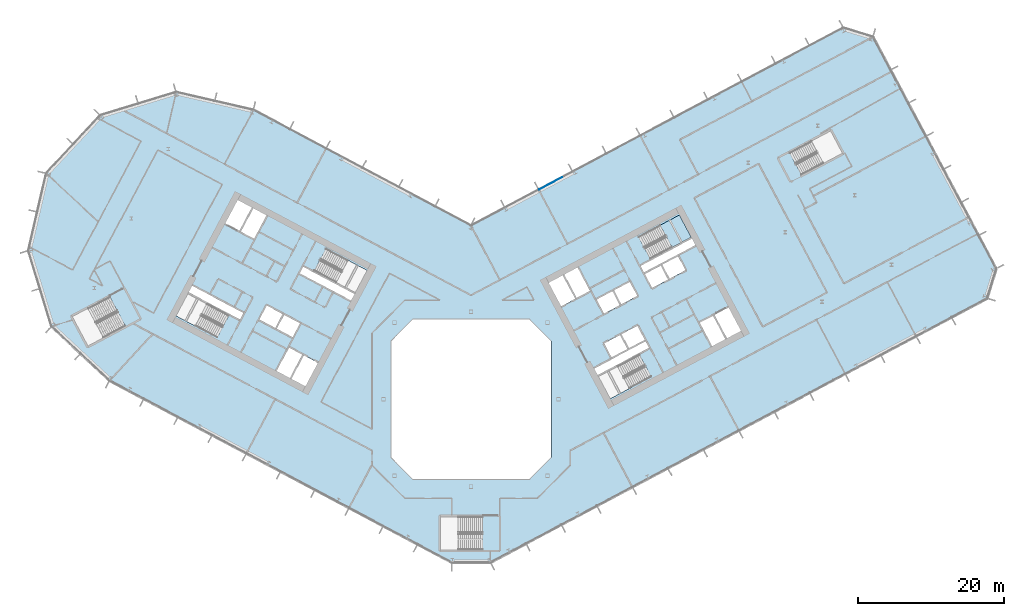
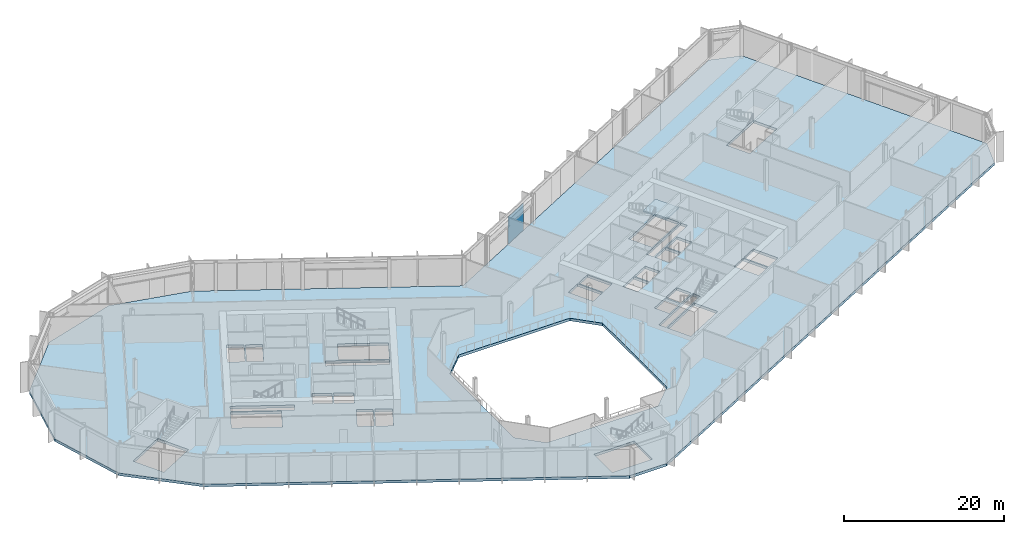
# One storey, part 12 of 31: 2 slabs, 1 plate, 2 elements without a shape of their own.
"""IFC4 building model written with IfcOpenShell, lengths in metres."""

from ifc_helpers import new_model, si_unit, direction, frame, origin, origin_2d, place, context, subcontext, project, spatial, polyline, rectangle, outline, extrude, material, layer, layer_set, type_object, element, aggregate, save


model = new_model("IFC4")

# Units and contexts
model_context = context("Model", 3, precision=1e-05, world=origin(), true_north=direction((0.0, 1.0)))
body_context = subcontext(model_context, "Body", "Model", "MODEL_VIEW")
ifc_project = project(units=[si_unit("LENGTHUNIT", "METRE"), si_unit("AREAUNIT", "SQUARE_METRE"), si_unit("VOLUMEUNIT", "CUBIC_METRE"), si_unit("PLANEANGLEUNIT", "RADIAN"), si_unit("MASSUNIT", "GRAM", prefix="KILO")], contexts=[model_context])

# Site, building, storey
site_placement = place(None, origin())
site = spatial("IfcSite", under=ifc_project, at=site_placement, CompositionType="ELEMENT")
building_placement = place(site_placement, origin())
building = spatial("IfcBuilding", under=site, at=building_placement, Name="Cormorant Relay Tower", CompositionType="ELEMENT")
storey_placement = place(building_placement, frame((0.0, 0.0, 103.0)))
storey = spatial("IfcBuildingStorey", under=building, at=storey_placement, Name="L20", CompositionType="ELEMENT", Elevation=103.0)

# Curtain wall, plate
ifc_material_1 = material(Name="Aluminium 6063-T6 anodised bronze", Category="aluminium")
ifc_layer_1 = layer(ifc_material_1, 0.199951171875)
ifc_layer_set_1 = layer_set([ifc_layer_1], Name="CW1 unitised bronze curtain wall with vertical fins")
curtain_wall_type = type_object("IfcCurtainWallType", Name="CW1 unitised bronze curtain wall with vertical fins", PredefinedType="NOTDEFINED", material=ifc_layer_set_1)
curtain_wall_placement = place(storey_placement, origin())
curtain_wall = element("IfcCurtainWall", 1, at=curtain_wall_placement, inside=storey, type_object=curtain_wall_type, Name="CW1 curtain wall 6", PredefinedType="NOTDEFINED")
ifc_material_2 = material(Name="Tinted laminated glass", Category="glass")
ifc_layer_2 = layer(ifc_material_2, 0.0400390625)
ifc_layer_set_2 = layer_set([ifc_layer_2], Name="CW1 tinted vision panel 3600 module")
plate_type = type_object("IfcPlateType", Name="CW1 tinted vision panel 3600 module", PredefinedType="CURTAIN_PANEL", material=ifc_layer_set_2)
plate_placement = place(storey_placement, frame((10.9306640625, 29.618408203125, 0.0), z_axis=(0.0, 0.0, 1.0), x_axis=(-0.882947592859, -0.469471562786, 0.0)))
plate = element("IfcPlate", 2, at=plate_placement, type_object=plate_type, Name="CW1 panel V08", PredefinedType="CURTAIN_PANEL", context=body_context, shape_type="SweptSolid", body=[
    extrude(rectangle(XDim=3.60009765625, YDim=0.0400390625, at=origin_2d()), origin(), (0.0, 0.0, 1.0), 4.14990234375),
])
aggregate(curtain_wall, [plate])

# Stair, slab
ifc_material_3 = material(Name="Concrete 40 MPa", Category="concrete")
stair_type = type_object("IfcStairType", Name="Exit stair 1500", PredefinedType="HALF_TURN_STAIR", material=ifc_material_3)
stair_placement = place(storey_placement, origin())
stair = element("IfcStair", 3, at=stair_placement, inside=storey, type_object=stair_type, Name="L20 Stair", PredefinedType="HALF_TURN_STAIR")
ifc_material_4 = material(Name="Concrete 40 MPa", Category="concrete")
ifc_layer_3 = layer(ifc_material_4, 0.199951171875)
ifc_layer_set_3 = layer_set([ifc_layer_3], Name="Exit stair landing 200")
slab_type_1 = type_object("IfcSlabType", Name="Exit stair landing 200", PredefinedType="LANDING", material=ifc_layer_set_3)
slab_1_placement = place(storey_placement, frame((0.0, 0.0, 2.10009765625)))
slab_1 = element("IfcSlab", 4, at=slab_1_placement, type_object=slab_type_1, Name="B2 landing 1", PredefinedType="LANDING", context=body_context, shape_type="SweptSolid", body=[
    extrude(outline(polyline([(27.558837890625, 20.82568359375), (30.19873046875, 22.2294921875), (28.5791015625, 25.275634765625), (25.93896484375, 23.871826171875), (27.558837890625, 20.82568359375)])), origin(), (0.0, 0.0, 1.0), 0.199951171875),
])
aggregate(stair, [slab_1])

# Slab
ifc_material_5 = material(Name="Concrete 40 MPa", Category="concrete")
ifc_layer_4 = layer(ifc_material_5, 0.39990234375)
ifc_layer_set_4 = layer_set([ifc_layer_4], Name="Flat plate 400")
slab_type_2 = type_object("IfcSlabType", Name="Flat plate 400", PredefinedType="FLOOR", material=ifc_layer_set_4)
slab_2_placement = place(storey_placement, frame((0.0, 0.0, -0.39990234375)))
element("IfcSlab", 5, at=slab_2_placement, inside=storey, type_object=slab_type_2, Name="Floor slab L20", PredefinedType="FLOOR", context=body_context, shape_type="SweptSolid", body=[
    extrude(outline(polyline([(-60.7197265625, 20.393310546875), (-58.2744140625, 30.985107421875), (-50.86083984375, 38.935302734375), (-40.465576171875, 42.11328125), (-29.873779296875, 39.668212890625), (0.0, 23.783935546875), (51.064453125, 50.935302734375), (55.12158203125, 49.695068359375), (72.022705078125, 17.908935546875), (70.7822265625, 13.8515625), (2.648681640625, -22.37548828125), (-2.648681640625, -22.37548828125), (-49.591552734375, 2.584228515625), (-57.541748046875, 9.997802734375), (-60.7197265625, 20.393310546875)]), holes=[polyline([(11.0, -8.0), (11.0, 8.0), (8.0, 11.0), (-8.0, 11.0), (-11.0, 8.0), (-11.0, -8.0), (-8.0, -11.0), (8.0, -11.0), (11.0, -8.0)]), polyline([(-4.199951171875, -16.125), (-4.199951171875, -20.675048828125), (1.60009765625, -20.675048828125), (1.60009765625, -16.125), (-4.199951171875, -16.125)]), polyline([(-22.95458984375, 6.03271484375), (-24.668212890625, 2.81005859375), (-22.725830078125, 1.777099609375), (-21.01220703125, 5.0), (-23.04296875, 6.07958984375), (-22.95458984375, 6.03271484375)]), polyline([(-24.985595703125, 7.112548828125), (-26.69921875, 3.889892578125), (-24.844970703125, 2.90380859375), (-23.13134765625, 6.126708984375), (-23.04296875, 6.07958984375), (-24.985595703125, 7.112548828125)]), polyline([(-26.688720703125, 9.660400390625), (-24.481201171875, 8.48681640625), (-23.448486328125, 10.42919921875), (-25.656005859375, 11.602783203125), (-26.688720703125, 9.660400390625)]), polyline([(-49.57861328125, 14.0537109375), (-54.69970703125, 11.330810546875), (-52.563720703125, 7.3134765625), (-47.442626953125, 10.036376953125), (-49.57861328125, 14.0537109375)]), polyline([(-28.039794921875, 12.870361328125), (-29.07275390625, 10.927978515625), (-26.865234375, 9.75439453125), (-25.83251953125, 11.69677734375), (-28.039794921875, 12.870361328125)]), polyline([(-38.847900390625, 14.483154296875), (-40.46728515625, 11.43701171875), (-34.860595703125, 8.455810546875), (-33.240966796875, 11.502197265625), (-38.847900390625, 14.483154296875)]), polyline([(-38.260986328125, 15.5869140625), (-38.75390625, 14.659912109375), (-31.690185546875, 10.904052734375), (-31.197265625, 11.8310546875), (-38.260986328125, 15.5869140625)]), polyline([(14.3056640625, 13.779052734375), (12.592041015625, 17.001708984375), (10.649658203125, 15.968994140625), (12.36328125, 12.74609375), (14.39404296875, 13.825927734375), (14.3056640625, 13.779052734375)]), polyline([(16.33642578125, 14.85888671875), (14.622802734375, 18.08154296875), (12.768798828125, 17.095703125), (14.482421875, 13.872802734375), (14.39404296875, 13.825927734375), (16.33642578125, 14.85888671875)]), polyline([(-16.481689453125, 13.520263671875), (-15.989013671875, 14.447509765625), (-23.052490234375, 18.203125), (-23.54541015625, 17.276123046875), (-16.481689453125, 13.520263671875)]), polyline([(-21.501708984375, 17.605224609375), (-15.89501953125, 14.6240234375), (-14.275390625, 17.670166015625), (-19.882080078125, 20.6513671875), (-21.501708984375, 17.605224609375)]), polyline([(-31.611572265625, 22.980712890625), (-29.75732421875, 21.99462890625), (-28.043701171875, 25.217529296875), (-29.89794921875, 26.203369140625), (-31.611572265625, 22.980712890625)]), polyline([(-33.73046875, 24.107421875), (-31.7880859375, 23.074462890625), (-30.074462890625, 26.29736328125), (-32.01708984375, 27.330078125), (-33.73046875, 24.107421875)]), polyline([(23.087158203125, 6.10302734375), (17.48046875, 3.1220703125), (19.10009765625, 0.07568359375), (24.706787109375, 3.056884765625), (23.087158203125, 6.10302734375)]), polyline([(16.8935546875, 4.2255859375), (17.386474609375, 3.298583984375), (24.4501953125, 7.054443359375), (23.957275390625, 7.9814453125), (16.8935546875, 4.2255859375)]), polyline([(20.446533203125, 8.8330078125), (18.239013671875, 7.6591796875), (19.27197265625, 5.716796875), (21.479248046875, 6.890380859375), (20.446533203125, 8.8330078125)]), polyline([(22.830322265625, 10.1005859375), (20.623046875, 8.927001953125), (21.656005859375, 6.984375), (23.86328125, 8.158203125), (22.830322265625, 10.1005859375)]), polyline([(33.197021484375, 11.478515625), (31.3427734375, 10.49267578125), (33.056396484375, 7.27001953125), (34.910400390625, 8.255859375), (33.197021484375, 11.478515625)]), polyline([(33.37353515625, 11.572509765625), (35.087158203125, 8.349609375), (37.029541015625, 9.382568359375), (35.31591796875, 12.605224609375), (33.37353515625, 11.572509765625)]), polyline([(19.401123046875, 14.84619140625), (17.19384765625, 13.67236328125), (18.2265625, 11.72998046875), (20.43408203125, 12.903564453125), (19.401123046875, 14.84619140625)]), polyline([(22.81787109375, 14.171142578125), (21.78515625, 16.113525390625), (19.57763671875, 14.93994140625), (20.610595703125, 12.99755859375), (22.81787109375, 14.171142578125)]), polyline([(26.023193359375, 18.3671875), (23.81591796875, 17.193359375), (24.8486328125, 15.2509765625), (27.05615234375, 16.424560546875), (26.023193359375, 18.3671875)]), polyline([(29.440185546875, 17.692138671875), (28.4072265625, 19.634765625), (26.19970703125, 18.4609375), (27.232666015625, 16.5185546875), (29.440185546875, 17.692138671875)]), polyline([(30.78564453125, 21.125732421875), (30.29248046875, 22.052978515625), (23.22900390625, 18.297119140625), (23.721923828125, 17.3701171875), (30.78564453125, 21.125732421875)]), polyline([(24.592041015625, 19.248291015625), (30.19873046875, 22.2294921875), (28.5791015625, 25.275634765625), (22.972412109375, 22.29443359375), (24.592041015625, 19.248291015625)]), polyline([(45.3349609375, 30.773681640625), (50.941650390625, 33.7548828125), (49.322021484375, 36.801025390625), (43.715087890625, 33.81982421875), (45.3349609375, 30.773681640625)])]), origin(), (0.0, 0.0, 1.0), 0.39990234375),
])

save(model, "model.ifc")
